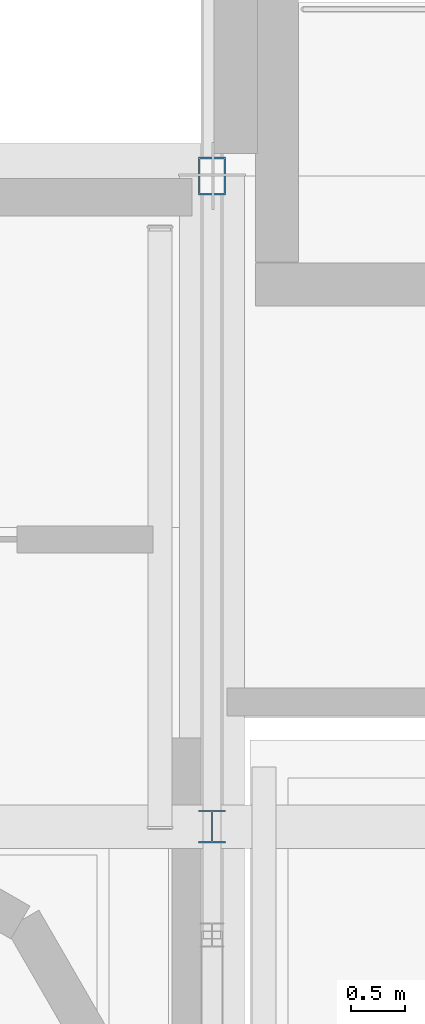
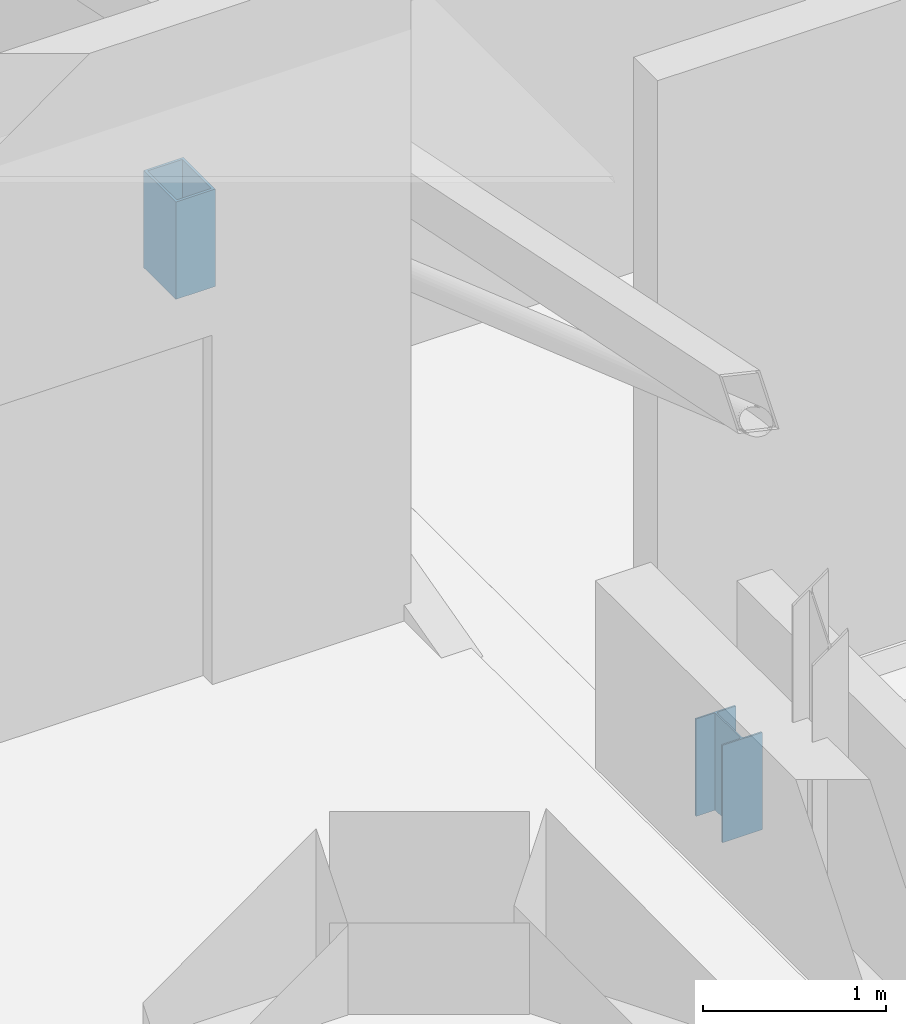
# One storey, part 49 of 85: 2 members.
"""IFC4 building model written with IfcOpenShell, lengths in metres."""

from ifc_helpers import new_model, si_unit, derived_unit, direction, frame, origin, origin_2d, place, context, subcontext, project, spatial, hollow_rectangle, i_section, extrude, material, material_profile, profile_set, type_object, element, save


model = new_model("IFC4")

# Units and contexts
model_context = context("Model", 3, precision=1e-05, world=origin(), true_north=direction((0.0, 1.0)))
body_context = subcontext(model_context, "Body", "Model", "MODEL_VIEW")
ifc_project = project(units=[si_unit("LENGTHUNIT", "METRE"), si_unit("AREAUNIT", "SQUARE_METRE"), si_unit("VOLUMEUNIT", "CUBIC_METRE"), si_unit("PLANEANGLEUNIT", "RADIAN"), si_unit("MASSUNIT", "GRAM", prefix="KILO"), derived_unit("THERMALTRANSMITTANCEUNIT", [(si_unit("POWERUNIT", "WATT"), 1), (si_unit("LENGTHUNIT", "METRE"), -2), (si_unit("THERMODYNAMICTEMPERATUREUNIT", "KELVIN"), -1)])], contexts=[model_context])

# Site, building, storey
site_placement = place(None, origin())
site = spatial("IfcSite", under=ifc_project, at=site_placement, CompositionType="ELEMENT")
building_placement = place(site_placement, origin())
building = spatial("IfcBuilding", under=site, at=building_placement, Name="Nallur Shell Playhouse", CompositionType="ELEMENT")
storey_placement = place(building_placement, frame((0.0, 0.0, 19.800048828125)))
storey = spatial("IfcBuildingStorey", under=building, at=storey_placement, Name="L05", CompositionType="ELEMENT", Elevation=19.800048828125)

# Members
ifc_material = material(Name="Steel E350", Category="steel")
ifc_material_profile_1 = material_profile(ifc_material, i_section(OverallWidth=0.25, OverallDepth=0.300048828125, WebThickness=0.009521484375, FlangeThickness=0.010498046875, FilletRadius=0.010986328125, at=origin_2d()), Name="ISHB 300")
ifc_profile_set_1 = profile_set([ifc_material_profile_1], Name="Steel E350")
member_type_1 = type_object("IfcMemberType", Name="MB-FASCIA-POST", PredefinedType="POST", material=ifc_profile_set_1)
member_1_placement = place(storey_placement, frame((118.60009765625, 41.0, 0.0), z_axis=(0.0, 0.0, 1.0), x_axis=(1.0, 0.0, 0.0)))
element("IfcMember", 1, at=member_1_placement, inside=storey, type_object=member_type_1, Name="Cantilever truss fascia post POST-GB-L05-15", PredefinedType="POST", context=body_context, shape_type="SweptSolid", body=[
    extrude(i_section(OverallWidth=0.25, OverallDepth=0.300048828125, WebThickness=0.009521484375, FlangeThickness=0.010498046875, FilletRadius=0.010986328125, at=origin_2d()), origin(), (0.0, 0.0, 1.0), 0.64990234375),
])
ifc_material_profile_2 = material_profile(ifc_material, hollow_rectangle(XDim=0.25, YDim=0.35009765625, WallThickness=0.01611328125, at=origin_2d()), Name="RHS 350x250x16")
ifc_profile_set_2 = profile_set([ifc_material_profile_2], Name="Steel E350")
member_type_2 = type_object("IfcMemberType", Name="MB-FASCIA-RHS", PredefinedType="POST", material=ifc_profile_set_2)
member_2_placement = place(storey_placement, frame((118.60009765625, 47.0, 0.0), z_axis=(0.0, 0.0, 1.0), x_axis=(1.0, 0.0, 0.0)))
element("IfcMember", 2, at=member_2_placement, inside=storey, type_object=member_type_2, Name="Cantilever truss fascia post POST-GB-L05-11", PredefinedType="POST", context=body_context, shape_type="SweptSolid", body=[
    extrude(hollow_rectangle(XDim=0.25, YDim=0.35009765625, WallThickness=0.01611328125, at=origin_2d()), origin(), (0.0, 0.0, 1.0), 0.64990234375),
])

save(model, "model.ifc")
